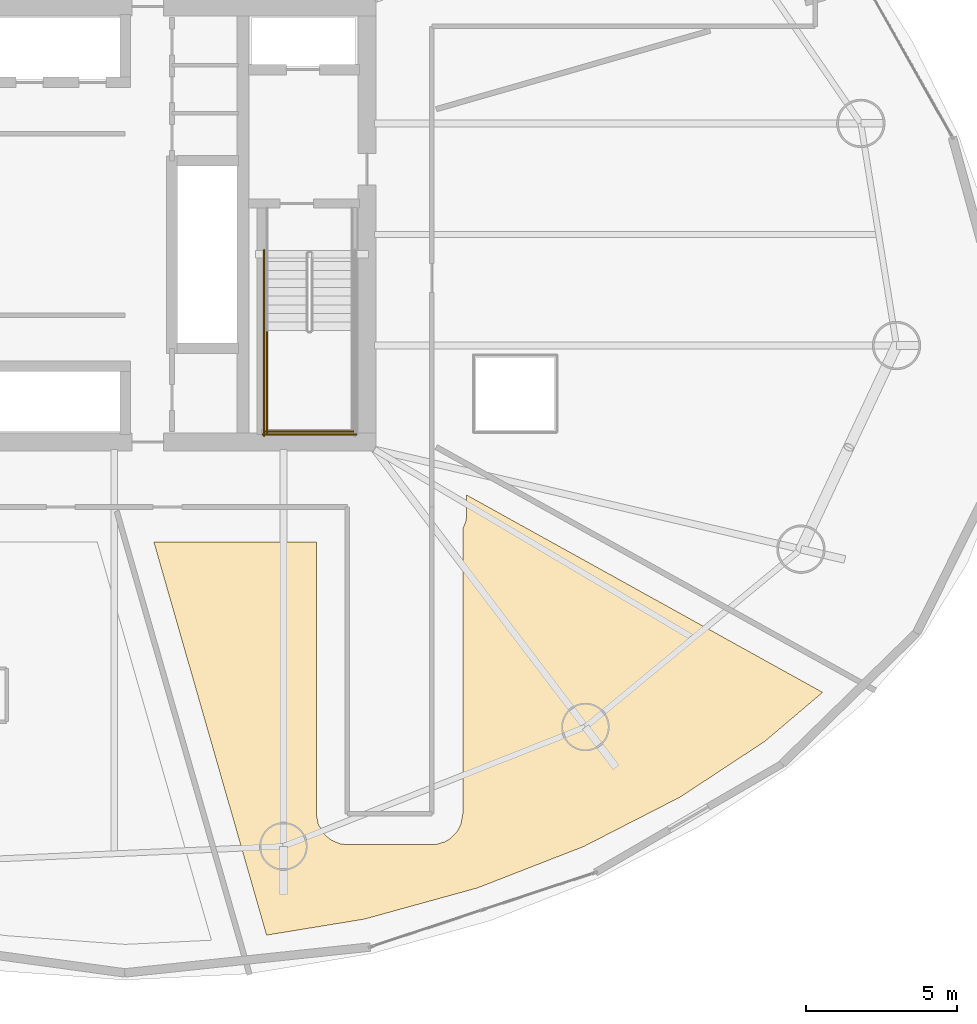
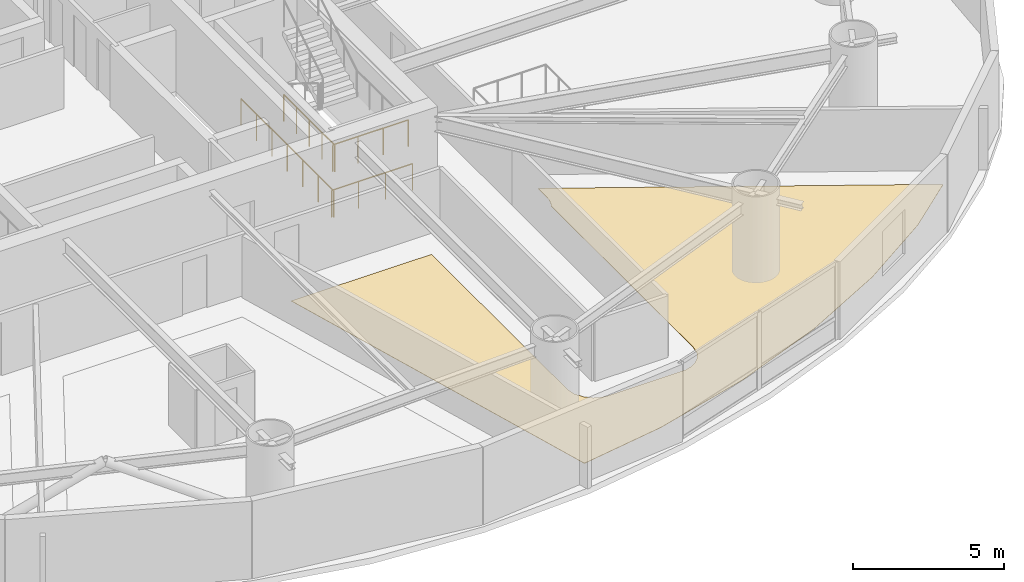
# One storey, part 23 of 25: 4 railings, 1 covering.
"""IFC4 building model written with IfcOpenShell, lengths in metres."""

from ifc_helpers import new_model, si_unit, direction, frame, origin, origin_2d, place, context, subcontext, project, spatial, polyline, circle, outline, extrude, material, layer, layer_set, type_object, element, save


model = new_model("IFC4")

# Units and contexts
model_context = context("Model", 3, precision=1e-05, world=origin(), true_north=direction((0.0, 1.0)))
body_context = subcontext(model_context, "Body", "Model", "MODEL_VIEW")
ifc_project = project(units=[si_unit("LENGTHUNIT", "METRE"), si_unit("AREAUNIT", "SQUARE_METRE"), si_unit("VOLUMEUNIT", "CUBIC_METRE"), si_unit("PLANEANGLEUNIT", "RADIAN"), si_unit("MASSUNIT", "GRAM", prefix="KILO")], contexts=[model_context])

# Site, building, storey
site_placement = place(None, origin())
site = spatial("IfcSite", under=ifc_project, at=site_placement, CompositionType="ELEMENT")
building_placement = place(site_placement, origin())
building = spatial("IfcBuilding", under=site, at=building_placement, Name="Bramvorn Convention Spire", CompositionType="ELEMENT")
storey_placement = place(building_placement, frame((0.0, 0.0, 93.89990234375)))
storey = spatial("IfcBuildingStorey", under=building, at=storey_placement, Name="L22", CompositionType="ELEMENT", Elevation=93.89990234375)

# Covering
ifc_material_1 = material(Name="Solution-Dyed Wool Broadloom Hospitality Carpet", Category="textile")
ifc_layer = layer(ifc_material_1, 0.014892578125)
ifc_layer_set = layer_set([ifc_layer], Name="Solution-Dyed Wool Broadloom Hospitality Carpet - FLR-CARPET-15")
covering_type = type_object("IfcCoveringType", Name="FLR-CARPET-15", PredefinedType="FLOORING", material=ifc_layer_set)
covering_placement = place(storey_placement, origin())
element("IfcCovering", 1, at=covering_placement, inside=storey, type_object=covering_type, Name="Hotel Suite 2207 wool broadloom carpet", PredefinedType="FLOORING", context=body_context, shape_type="SweptSolid", body=[
    extrude(outline(polyline([(48.907958984375, 3.01416015625), (52.659912109375, 4.048828125), (56.168701171875, 5.415771484375), (59.359130859375, 7.05126953125), (62.164794921875, 8.8974609375), (64.073974609375, 10.51806640625), (52.300048828125, 17.04443359375), (52.295654296875, 16.311767578125), (52.26123046875, 16.138671875), (52.169921875, 15.936279296875), (52.169921875, 6.5), (52.1083984375, 6.15087890625), (51.97265625, 5.897216796875), (51.76220703125, 5.684326171875), (51.580810546875, 5.575439453125), (51.305419921875, 5.491943359375), (48.35009765625, 5.47998046875), (48.10791015625, 5.50927734375), (47.820556640625, 5.62841796875), (47.59033203125, 5.819580078125), (47.3916015625, 6.15087890625), (47.331787109375, 6.444091796875), (47.330078125, 15.5), (41.947021484375, 15.5), (45.678955078125, 2.4853515625), (48.907958984375, 3.01416015625)])), origin(), (0.0, 0.0, 1.0), 0.01513671875),
])

# Railings
ifc_material_2 = material(Name="Painted Steel Balustrade & Guardrail", Category="steel")
railing_type = type_object("IfcRailingType", Name="RL-STAIR-GUARD-1100", PredefinedType="GUARDRAIL", material=ifc_material_2)
railing_1_placement = place(storey_placement, frame((45.699951171875, 22.485107421875, 1.75)))
element("IfcRailing", 2, at=railing_1_placement, inside=storey, type_object=railing_type, Name="L22 ST2 stair guard 3", PredefinedType="GUARDRAIL", context=body_context, shape_type="SweptSolid", body=[
    extrude(circle(Radius=0.02392578125, at=origin_2d()), frame((0.0, 0.0, 1.076171875), z_axis=(0.0, -1.0, 0.0), x_axis=(1.0, 0.0, 0.0)), (0.0, 0.0, 1.0), 3.385009765625),
    extrude(circle(Radius=0.02099609375, at=origin_2d()), origin(), (0.0, 0.0, 1.0), 1.052001953125),
    extrude(circle(Radius=0.02099609375, at=origin_2d()), frame((0.0, -0.84619140625, 0.0)), (0.0, 0.0, 1.0), 1.052001953125),
    extrude(circle(Radius=0.02099609375, at=origin_2d()), frame((0.0, -1.6923828125, 0.0)), (0.0, 0.0, 1.0), 1.052001953125),
    extrude(circle(Radius=0.02099609375, at=origin_2d()), frame((0.0, -2.538818359375, 0.0)), (0.0, 0.0, 1.0), 1.052001953125),
    extrude(circle(Radius=0.02099609375, at=origin_2d()), frame((0.0, -3.385009765625, 0.0)), (0.0, 0.0, 1.0), 1.052001953125),
])
railing_2_placement = place(storey_placement, frame((45.64990234375, 19.14990234375, 1.75)))
element("IfcRailing", 3, at=railing_2_placement, inside=storey, type_object=railing_type, Name="L22 ST2 stair guard 5", PredefinedType="GUARDRAIL", context=body_context, shape_type="SweptSolid", body=[
    extrude(circle(Radius=0.02392578125, at=origin_2d()), frame((0.0, 0.0, 1.076171875), z_axis=(1.0, 0.0, 0.0), x_axis=(0.0, 1.0, 0.0)), (0.0, 0.0, 1.0), 2.900146484375),
    extrude(circle(Radius=0.02099609375, at=origin_2d()), origin(), (0.0, 0.0, 1.0), 1.052001953125),
    extrude(circle(Radius=0.02099609375, at=origin_2d()), frame((0.966796875, 0.0, 0.0)), (0.0, 0.0, 1.0), 1.052001953125),
    extrude(circle(Radius=0.02099609375, at=origin_2d()), frame((1.933349609375, 0.0, 0.0)), (0.0, 0.0, 1.0), 1.052001953125),
    extrude(circle(Radius=0.02099609375, at=origin_2d()), frame((2.900146484375, 0.0, 0.0)), (0.0, 0.0, 1.0), 1.052001953125),
])
railing_3_placement = place(storey_placement, frame((45.60009765625, 25.14990234375, 0.0)))
element("IfcRailing", 4, at=railing_3_placement, inside=storey, type_object=railing_type, Name="L22 ST2 stair guard 10", PredefinedType="GUARDRAIL", context=body_context, shape_type="SweptSolid", body=[
    extrude(circle(Radius=0.02392578125, at=origin_2d()), frame((0.0, 0.0, 1.076171875), z_axis=(0.0, -1.0, 0.0), x_axis=(1.0, 0.0, 0.0)), (0.0, 0.0, 1.0), 6.14990234375),
    extrude(circle(Radius=0.02099609375, at=origin_2d()), origin(), (0.0, 0.0, 1.0), 1.052001953125),
    extrude(circle(Radius=0.02099609375, at=origin_2d()), frame((0.0, -1.02490234375, 0.0)), (0.0, 0.0, 1.0), 1.052001953125),
    extrude(circle(Radius=0.02099609375, at=origin_2d()), frame((0.0, -2.050048828125, 0.0)), (0.0, 0.0, 1.0), 1.052001953125),
    extrude(circle(Radius=0.02099609375, at=origin_2d()), frame((0.0, -3.074951171875, 0.0)), (0.0, 0.0, 1.0), 1.052001953125),
    extrude(circle(Radius=0.02099609375, at=origin_2d()), frame((0.0, -4.099853515625, 0.0)), (0.0, 0.0, 1.0), 1.052001953125),
    extrude(circle(Radius=0.02099609375, at=origin_2d()), frame((0.0, -5.125, 0.0)), (0.0, 0.0, 1.0), 1.052001953125),
    extrude(circle(Radius=0.02099609375, at=origin_2d()), frame((0.0, -6.14990234375, 0.0)), (0.0, 0.0, 1.0), 1.052001953125),
])
railing_4_placement = place(storey_placement, frame((45.550048828125, 19.050048828125, 0.0)))
element("IfcRailing", 5, at=railing_4_placement, inside=storey, type_object=railing_type, Name="L22 ST2 stair guard 12", PredefinedType="GUARDRAIL", context=body_context, shape_type="SweptSolid", body=[
    extrude(circle(Radius=0.02392578125, at=origin_2d()), frame((0.0, 0.0, 1.076171875), z_axis=(1.0, 0.0, 0.0), x_axis=(0.0, 1.0, 0.0)), (0.0, 0.0, 1.0), 3.099853515625),
    extrude(circle(Radius=0.02099609375, at=origin_2d()), origin(), (0.0, 0.0, 1.0), 1.052001953125),
    extrude(circle(Radius=0.02099609375, at=origin_2d()), frame((1.033203125, 0.0, 0.0)), (0.0, 0.0, 1.0), 1.052001953125),
    extrude(circle(Radius=0.02099609375, at=origin_2d()), frame((2.066650390625, 0.0, 0.0)), (0.0, 0.0, 1.0), 1.052001953125),
    extrude(circle(Radius=0.02099609375, at=origin_2d()), frame((3.099853515625, 0.0, 0.0)), (0.0, 0.0, 1.0), 1.052001953125),
])

save(model, "model.ifc")
